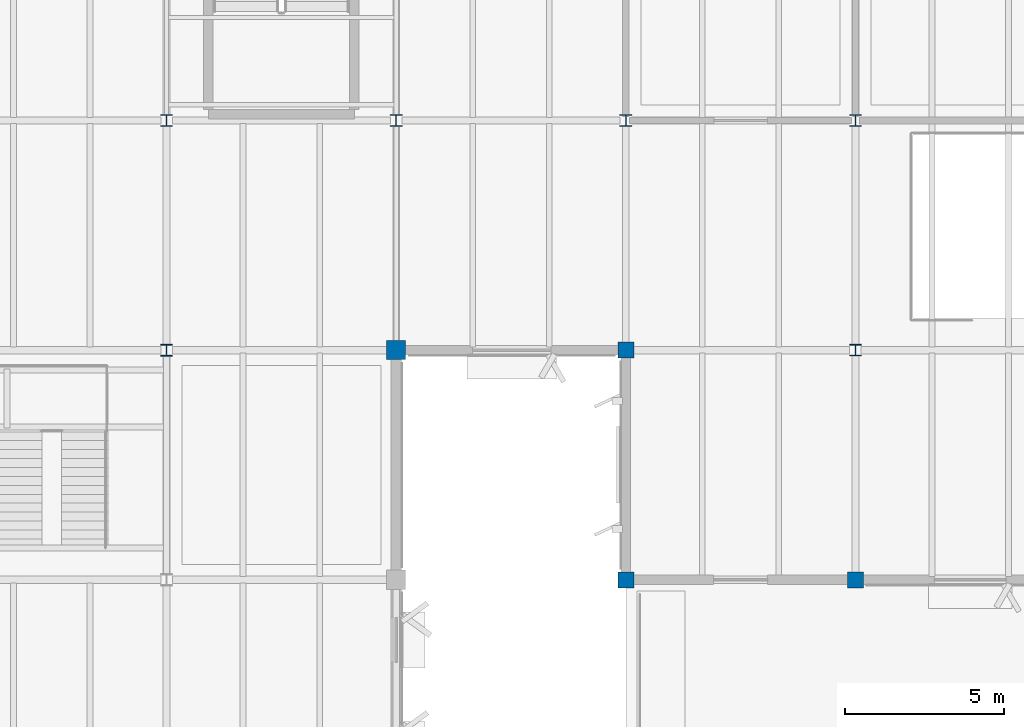
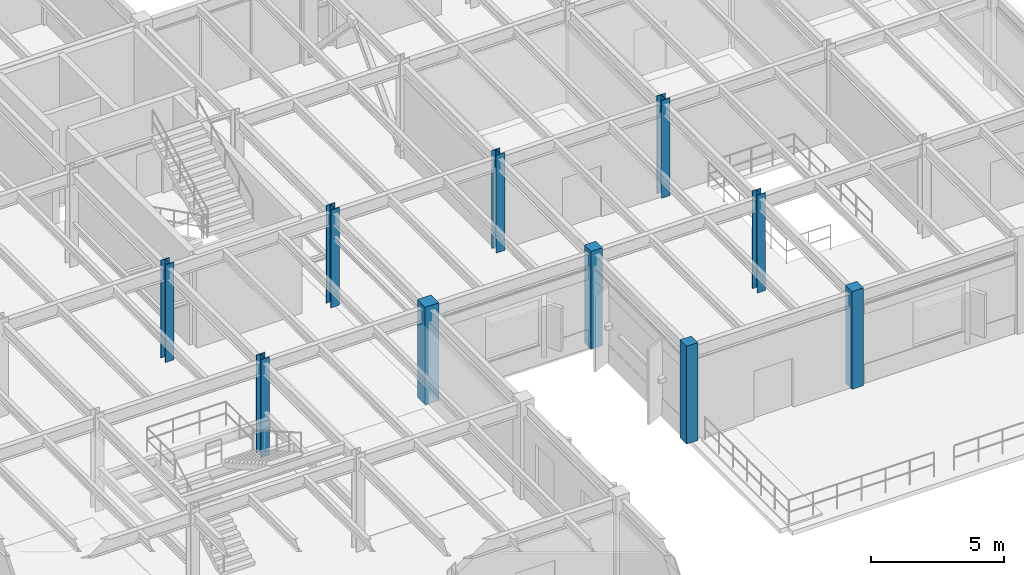
# One storey, part 6 of 92: 10 columns.
"""IFC4 building model written with IfcOpenShell, lengths in metres."""

from ifc_helpers import new_model, si_unit, direction, frame, origin, origin_2d, place, context, subcontext, project, spatial, rectangle, i_section, extrude, material, material_profile, profile_set, type_object, element, save


model = new_model("IFC4")

# Units and contexts
model_context = context("Model", 3, precision=1e-05, world=origin(), true_north=direction((0.0, 1.0)))
body_context = subcontext(model_context, "Body", "Model", "MODEL_VIEW")
ifc_project = project(units=[si_unit("LENGTHUNIT", "METRE"), si_unit("AREAUNIT", "SQUARE_METRE"), si_unit("VOLUMEUNIT", "CUBIC_METRE"), si_unit("PLANEANGLEUNIT", "RADIAN"), si_unit("MASSUNIT", "GRAM", prefix="KILO")], contexts=[model_context])

# Site, building, storey
site_placement = place(None, origin())
site = spatial("IfcSite", under=ifc_project, at=site_placement, CompositionType="ELEMENT")
building_placement = place(site_placement, origin())
building = spatial("IfcBuilding", under=site, at=building_placement, Name="Sillqori Civic Hall", CompositionType="ELEMENT")
storey_placement = place(building_placement, frame((0.0, 0.0, 5.39990234375)))
storey = spatial("IfcBuildingStorey", under=building, at=storey_placement, Name="L02", CompositionType="ELEMENT", Elevation=5.39990234375)

# Columns
ifc_material_1 = material(Name="Concrete C35/45 (H35)", Category="concrete")
ifc_material_profile_1 = material_profile(ifc_material_1, rectangle(XDim=0.5, YDim=0.5, at=origin_2d()), Name="RC 500x500")
ifc_profile_set_1 = profile_set([ifc_material_profile_1], Name="Concrete C35/45 (H35)")
column_type_1 = type_object("IfcColumnType", Name="COL-RC500", PredefinedType="COLUMN", material=ifc_profile_set_1)
for number, where, z_axis, x_axis, name in (
    (1, (122.39990234375, 21.60009765625, 0.0), (0.0, 0.0, 1.0), (1.0, 0.0, 0.0), "L02 column 17-3"),
    (2, (122.39990234375, 28.800048828125, 0.0), (0.0, 0.0, 1.0), (1.0, 0.0, 0.0), "L02 column 17-4"),
    (3, (129.60009765625, 21.60009765625, 0.0), (0.0, 0.0, 1.0), (1.0, 0.0, 0.0), "L02 column 18-3"),
):
    element("IfcColumn", number, at=place(storey_placement, frame(where, z_axis=z_axis, x_axis=x_axis)), inside=storey, type_object=column_type_1, Name=name, PredefinedType="COLUMN", context=body_context, shape_type="SweptSolid", body=[
        extrude(rectangle(XDim=0.5, YDim=0.5, at=origin_2d()), origin(), (0.0, 0.0, 1.0), 4.5),
    ])
ifc_material_profile_2 = material_profile(ifc_material_1, rectangle(XDim=0.60009765625, YDim=0.60009765625, at=origin_2d()), Name="RC 600x600")
ifc_profile_set_2 = profile_set([ifc_material_profile_2], Name="Concrete C35/45 (H35)")
column_type_2 = type_object("IfcColumnType", Name="COL-RC600", PredefinedType="COLUMN", material=ifc_profile_set_2)
column_1_placement = place(storey_placement, frame((115.199951171875, 28.800048828125, 0.0), z_axis=(0.0, 0.0, 1.0), x_axis=(1.0, 0.0, 0.0)))
element("IfcColumn", 4, at=column_1_placement, inside=storey, type_object=column_type_2, Name="L02 column 16-4", PredefinedType="COLUMN", context=body_context, shape_type="SweptSolid", body=[
    extrude(rectangle(XDim=0.60009765625, YDim=0.60009765625, at=origin_2d()), origin(), (0.0, 0.0, 1.0), 4.5),
])
ifc_material_2 = material(Name="Steel ASTM A992", Category="steel")
ifc_material_profile_3 = material_profile(ifc_material_2, i_section(OverallWidth=0.373046875, OverallDepth=0.367919921875, WebThickness=0.014892578125, FlangeThickness=0.02392578125, FilletRadius=0.014892578125, at=origin_2d()), Name="W14X120")
ifc_profile_set_3 = profile_set([ifc_material_profile_3], Name="Steel ASTM A992")
column_type_3 = type_object("IfcColumnType", Name="COL-W14X120", PredefinedType="COLUMN", material=ifc_profile_set_3)
for number, where, z_axis, x_axis, name in (
    (5, (108.0, 28.800048828125, 0.0), (0.0, 0.0, 1.0), (1.0, 0.0, 0.0), "L02 column 15-4"),
    (6, (108.0, 36.0, 0.0), (0.0, 0.0, 1.0), (1.0, 0.0, 0.0), "L02 column 15-5"),
    (7, (115.199951171875, 36.0, 0.0), (0.0, 0.0, 1.0), (1.0, 0.0, 0.0), "L02 column 16-5"),
    (8, (122.39990234375, 36.0, 0.0), (0.0, 0.0, 1.0), (1.0, 0.0, 0.0), "L02 column 17-5"),
    (9, (129.60009765625, 36.0, 0.0), (0.0, 0.0, 1.0), (1.0, 0.0, 0.0), "L02 column 18-5"),
):
    element("IfcColumn", number, at=place(storey_placement, frame(where, z_axis=z_axis, x_axis=x_axis)), inside=storey, type_object=column_type_3, Name=name, PredefinedType="COLUMN", context=body_context, shape_type="SweptSolid", body=[
        extrude(i_section(OverallWidth=0.373046875, OverallDepth=0.367919921875, WebThickness=0.014892578125, FlangeThickness=0.02392578125, FilletRadius=0.014892578125, at=origin_2d()), origin(), (0.0, 0.0, 1.0), 4.5),
    ])
ifc_material_profile_4 = material_profile(ifc_material_2, i_section(OverallWidth=0.37109375, OverallDepth=0.361083984375, WebThickness=0.012451171875, FlangeThickness=0.019775390625, FilletRadius=0.014892578125, at=origin_2d()), Name="W14X99")
ifc_profile_set_4 = profile_set([ifc_material_profile_4], Name="Steel ASTM A992")
column_type_4 = type_object("IfcColumnType", Name="COL-W14X99", PredefinedType="COLUMN", material=ifc_profile_set_4)
column_2_placement = place(storey_placement, frame((129.60009765625, 28.800048828125, 0.0), z_axis=(0.0, 0.0, 1.0), x_axis=(1.0, 0.0, 0.0)))
element("IfcColumn", 10, at=column_2_placement, inside=storey, type_object=column_type_4, Name="L02 column 18-4", PredefinedType="COLUMN", context=body_context, shape_type="SweptSolid", body=[
    extrude(i_section(OverallWidth=0.37109375, OverallDepth=0.361083984375, WebThickness=0.012451171875, FlangeThickness=0.019775390625, FilletRadius=0.014892578125, at=origin_2d()), origin(), (0.0, 0.0, 1.0), 4.5),
])

save(model, "model.ifc")
